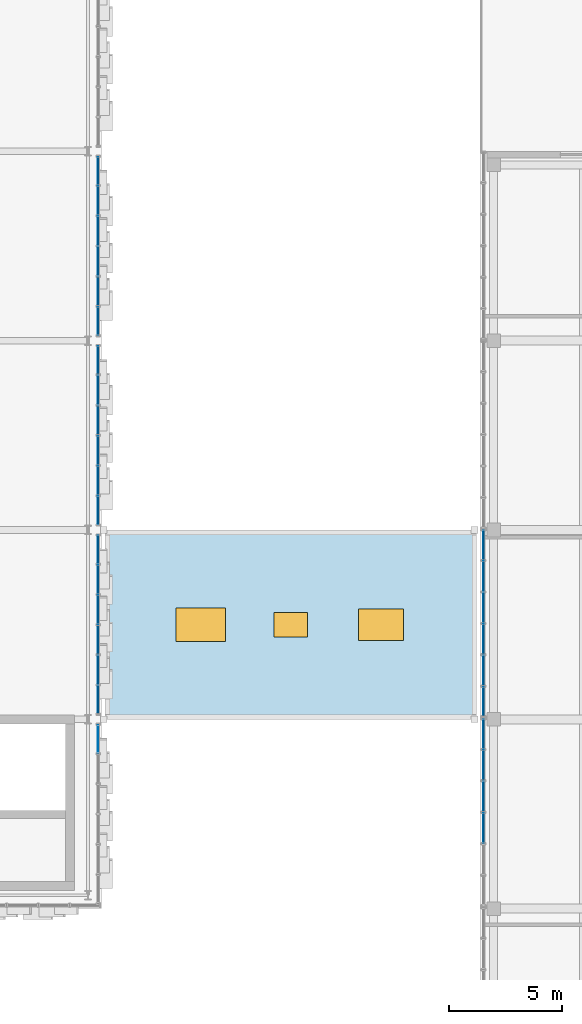
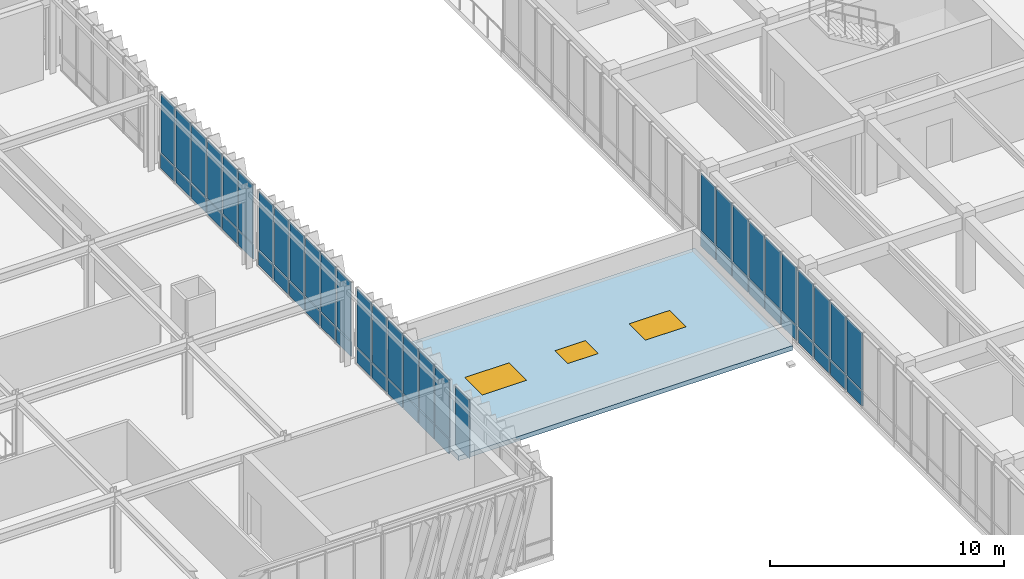
# One storey, part 92 of 123: 57 plates, 2 windows, 1 door, 1 slab, 3 openings, 6 elements without a shape of their own.
"""IFC4 building model written with IfcOpenShell, lengths in metres."""

from ifc_helpers import new_model, si_unit, direction, frame, origin, origin_2d, place, context, subcontext, project, spatial, polyline, rectangle, outline, extrude, material, layer, layer_set, type_object, element, fill, aggregate, save


model = new_model("IFC4")

# Units and contexts
model_context = context("Model", 3, precision=1e-05, world=origin(), true_north=direction((0.0, 1.0)))
body_context = subcontext(model_context, "Body", "Model", "MODEL_VIEW")
ifc_project = project(units=[si_unit("LENGTHUNIT", "METRE"), si_unit("AREAUNIT", "SQUARE_METRE"), si_unit("VOLUMEUNIT", "CUBIC_METRE"), si_unit("PLANEANGLEUNIT", "RADIAN"), si_unit("MASSUNIT", "GRAM", prefix="KILO")], contexts=[model_context])

# Site, building, storey
site_placement = place(None, origin())
site = spatial("IfcSite", under=ifc_project, at=site_placement, CompositionType="ELEMENT")
building_placement = place(site_placement, origin())
building = spatial("IfcBuilding", under=site, at=building_placement, Name="Zayran Congress Hotel", CompositionType="ELEMENT")
storey_placement = place(building_placement, frame((0.0, 0.0, 15.0)))
storey = spatial("IfcBuildingStorey", under=building, at=storey_placement, Name="L03", CompositionType="ELEMENT", Elevation=15.0)

# Slab, openings, windows, door
ifc_material_1 = material(Name="Concrete C32/40", Category="concrete")
ifc_layer_1 = layer(ifc_material_1, 0.239990234375)
ifc_layer_set_1 = layer_set([ifc_layer_1], Name="Concrete C32/40")
slab_type = type_object("IfcSlabType", Name="SL-RF-240", PredefinedType="ROOF", material=ifc_layer_set_1)
slab_placement = place(storey_placement, frame((0.0, 0.0, -0.239990234375)))
slab = element("IfcSlab", 1, at=slab_placement, inside=storey, type_object=slab_type, Name="North Congress Skybridge Deck Slab L03", PredefinedType="ROOF", context=body_context, shape_type="SweptSolid", body=[
    extrude(outline(polyline([(92.550048828125, 76.0), (109.050048828125, 76.0), (109.050048828125, 84.39990234375), (92.550048828125, 84.39990234375), (92.550048828125, 76.0)])), origin(), (0.0, 0.0, 1.0), 0.239990234375),
])
opening_1_placement = place(slab_placement, frame((100.800048828125, 80.199951171875, -0.010009765625), z_axis=(0.0, 0.0, 1.0), x_axis=(1.0, 0.0, 0.0)))
opening_1 = element("IfcOpeningElement", 2, at=opening_1_placement, cuts=slab, Name="Opening DR-HTCH-03", PredefinedType="OPENING", context=body_context, shape_type="SweptSolid", body=[
    extrude(rectangle(XDim=1.5, YDim=1.10009765625, at=origin_2d()), origin(), (0.0, 0.0, 1.0), 0.260009765625),
])
opening_2_placement = place(slab_placement, frame((96.800048828125, 80.199951171875, -0.010009765625), z_axis=(0.0, 0.0, 1.0), x_axis=(1.0, 0.0, 0.0)))
opening_2 = element("IfcOpeningElement", 3, at=opening_2_placement, cuts=slab, Name="Opening WIN-SKY-06", PredefinedType="OPENING", context=body_context, shape_type="SweptSolid", body=[
    extrude(rectangle(XDim=2.199951171875, YDim=1.5, at=origin_2d()), origin(), (0.0, 0.0, 1.0), 0.260009765625),
])
opening_3_placement = place(slab_placement, frame((104.800048828125, 80.199951171875, -0.010009765625), z_axis=(0.0, 0.0, 1.0), x_axis=(1.0, 0.0, 0.0)))
opening_3 = element("IfcOpeningElement", 4, at=opening_3_placement, cuts=slab, Name="Opening WIN-SKY-07", PredefinedType="OPENING", context=body_context, shape_type="SweptSolid", body=[
    extrude(rectangle(XDim=2.0, YDim=1.39990234375, at=origin_2d()), origin(), (0.0, 0.0, 1.0), 0.260009765625),
])
ifc_material_2 = material(Name="Anodised aluminium and low-E insulated glass", Category="aluminium")
window_type_1 = type_object("IfcWindowType", Name="TP-SK-04", PartitioningType="SINGLE_PANEL", PredefinedType="SKYLIGHT", material=ifc_material_2)
window_1_placement = place(opening_3_placement, frame((0.0, 0.0, 0.199951171875)))
window_1 = element("IfcWindow", 5, at=window_1_placement, inside=storey, type_object=window_type_1, Name="Roof Skylight 07", OverallHeight=1.39990234375, OverallWidth=2.0, PartitioningType="SINGLE_PANEL", PredefinedType="SKYLIGHT", context=body_context, shape_type="SweptSolid", body=[
    extrude(rectangle(XDim=2.0, YDim=1.39990234375, at=origin_2d()), origin(), (0.0, 0.0, 1.0), 0.050048828125),
])
fill(opening_3, window_1)
window_type_2 = type_object("IfcWindowType", Name="TP-SK-06", PartitioningType="SINGLE_PANEL", PredefinedType="SKYLIGHT", material=ifc_material_2)
window_2_placement = place(opening_2_placement, frame((0.0, 0.0, 0.199951171875)))
window_2 = element("IfcWindow", 6, at=window_2_placement, inside=storey, type_object=window_type_2, Name="Roof Skylight 06", OverallHeight=1.5, OverallWidth=2.199951171875, PartitioningType="SINGLE_PANEL", PredefinedType="SKYLIGHT", context=body_context, shape_type="SweptSolid", body=[
    extrude(rectangle(XDim=2.199951171875, YDim=1.5, at=origin_2d()), origin(), (0.0, 0.0, 1.0), 0.050048828125),
])
fill(opening_2, window_2)
ifc_material_3 = material(Name="Insulated aluminium roof access hatch", Category="aluminium")
door_type = type_object("IfcDoorType", Name="TP-RH-01", OperationType="SINGLE_SWING_LEFT", PredefinedType="TRAPDOOR", material=ifc_material_3)
door_placement = place(opening_1_placement, frame((0.0, 0.0, 0.199951171875)))
door = element("IfcDoor", 7, at=door_placement, inside=storey, type_object=door_type, Name="Roof Access Hatch 03", OperationType="SINGLE_SWING_LEFT", OverallHeight=1.10009765625, OverallWidth=1.5, PredefinedType="TRAPDOOR", context=body_context, shape_type="SweptSolid", body=[
    extrude(rectangle(XDim=1.5, YDim=1.10009765625, at=origin_2d()), origin(), (0.0, 0.0, 1.0), 0.050048828125),
])
fill(opening_1, door)

# Curtain wall, plates
ifc_layer_2 = layer(ifc_material_2, 0.179931640625)
ifc_layer_set_2 = layer_set([ifc_layer_2], Name="Anodised aluminium and low-E insulated glass")
curtain_wall_type_1 = type_object("IfcCurtainWallType", Name="CW-V1E-L03-CW-42-8040-3980", PredefinedType="USERDEFINED", material=ifc_layer_set_2)
curtain_wall_1_placement = place(storey_placement, origin())
curtain_wall_1 = element("IfcCurtainWall", 8, at=curtain_wall_1_placement, inside=storey, type_object=curtain_wall_type_1, Name="CW-V1E-L03-1", ObjectType="CURTAIN WALL", PredefinedType="USERDEFINED")
ifc_material_4 = material(Name="Insulated warm bronze aluminium spandrel panel", Category="aluminium")
ifc_layer_3 = layer(ifc_material_4, 0.06005859375)
ifc_layer_set_3 = layer_set([ifc_layer_3], Name="Insulated warm bronze aluminium spandrel panel")
plate_type_1 = type_object("IfcPlateType", Name="CWP-SP-1220-750", PredefinedType="CURTAIN_PANEL", material=ifc_layer_set_3)
plate_1_placement = place(storey_placement, frame((92.25, 76.8701171875, 0.06005859375), z_axis=(0.0, 0.0, 1.0), x_axis=(0.0, 1.0, 0.0)))
plate_1 = element("IfcPlate", 9, at=plate_1_placement, type_object=plate_type_1, Name="CW-42 Spandrel Panel 1", PredefinedType="CURTAIN_PANEL", context=body_context, shape_type="SweptSolid", body=[
    extrude(rectangle(XDim=1.219970703125, YDim=0.06005859375, at=origin_2d()), origin(), (0.0, 0.0, 1.0), 0.75),
])
plate_2_placement = place(storey_placement, frame((92.25, 78.18994140625, 0.06005859375), z_axis=(0.0, 0.0, 1.0), x_axis=(0.0, 1.0, 0.0)))
plate_2 = element("IfcPlate", 10, at=plate_2_placement, type_object=plate_type_1, Name="CW-42 Spandrel Panel 2", PredefinedType="CURTAIN_PANEL", context=body_context, shape_type="SweptSolid", body=[
    extrude(rectangle(XDim=1.260009765625, YDim=0.06005859375, at=origin_2d()), origin(), (0.0, 0.0, 1.0), 0.75),
])
plate_3_placement = place(storey_placement, frame((92.25, 79.530029296875, 0.06005859375), z_axis=(0.0, 0.0, 1.0), x_axis=(0.0, 1.0, 0.0)))
plate_3 = element("IfcPlate", 11, at=plate_3_placement, type_object=plate_type_1, Name="CW-42 Spandrel Panel 3", PredefinedType="CURTAIN_PANEL", context=body_context, shape_type="SweptSolid", body=[
    extrude(rectangle(XDim=1.260009765625, YDim=0.06005859375, at=origin_2d()), origin(), (0.0, 0.0, 1.0), 0.75),
])
plate_4_placement = place(storey_placement, frame((92.25, 80.8701171875, 0.06005859375), z_axis=(0.0, 0.0, 1.0), x_axis=(0.0, 1.0, 0.0)))
plate_4 = element("IfcPlate", 12, at=plate_4_placement, type_object=plate_type_1, Name="CW-42 Spandrel Panel 4", PredefinedType="CURTAIN_PANEL", context=body_context, shape_type="SweptSolid", body=[
    extrude(rectangle(XDim=1.260009765625, YDim=0.06005859375, at=origin_2d()), origin(), (0.0, 0.0, 1.0), 0.75),
])
plate_5_placement = place(storey_placement, frame((92.25, 82.2099609375, 0.06005859375), z_axis=(0.0, 0.0, 1.0), x_axis=(0.0, 1.0, 0.0)))
plate_5 = element("IfcPlate", 13, at=plate_5_placement, type_object=plate_type_1, Name="CW-42 Spandrel Panel 5", PredefinedType="CURTAIN_PANEL", context=body_context, shape_type="SweptSolid", body=[
    extrude(rectangle(XDim=1.260009765625, YDim=0.06005859375, at=origin_2d()), origin(), (0.0, 0.0, 1.0), 0.75),
])
plate_6_placement = place(storey_placement, frame((92.25, 83.530029296875, 0.06005859375), z_axis=(0.0, 0.0, 1.0), x_axis=(0.0, 1.0, 0.0)))
plate_6 = element("IfcPlate", 14, at=plate_6_placement, type_object=plate_type_1, Name="CW-42 Spandrel Panel 6", PredefinedType="CURTAIN_PANEL", context=body_context, shape_type="SweptSolid", body=[
    extrude(rectangle(XDim=1.219970703125, YDim=0.06005859375, at=origin_2d()), origin(), (0.0, 0.0, 1.0), 0.75),
])

ifc_layer_4 = layer(ifc_material_2, 0.179931640625)
ifc_layer_set_4 = layer_set([ifc_layer_4], Name="Anodised aluminium and low-E insulated glass")
curtain_wall_type_2 = type_object("IfcCurtainWallType", Name="CW-V1E-L03-CW-41-8040-3980", PredefinedType="USERDEFINED", material=ifc_layer_set_4)
curtain_wall_2_placement = place(storey_placement, origin())
curtain_wall_2 = element("IfcCurtainWall", 15, at=curtain_wall_2_placement, inside=storey, type_object=curtain_wall_type_2, Name="CW-V1E-L03-2", ObjectType="CURTAIN WALL", PredefinedType="USERDEFINED")
plate_7_placement = place(storey_placement, frame((92.25, 85.27001953125, 0.06005859375), z_axis=(0.0, 0.0, 1.0), x_axis=(0.0, 1.0, 0.0)))
plate_7 = element("IfcPlate", 16, at=plate_7_placement, type_object=plate_type_1, Name="CW-41 Spandrel Panel 1", PredefinedType="CURTAIN_PANEL", context=body_context, shape_type="SweptSolid", body=[
    extrude(rectangle(XDim=1.219970703125, YDim=0.06005859375, at=origin_2d()), origin(), (0.0, 0.0, 1.0), 0.75),
])
plate_8_placement = place(storey_placement, frame((92.25, 86.590087890625, 0.06005859375), z_axis=(0.0, 0.0, 1.0), x_axis=(0.0, 1.0, 0.0)))
plate_8 = element("IfcPlate", 17, at=plate_8_placement, type_object=plate_type_1, Name="CW-41 Spandrel Panel 2", PredefinedType="CURTAIN_PANEL", context=body_context, shape_type="SweptSolid", body=[
    extrude(rectangle(XDim=1.260009765625, YDim=0.06005859375, at=origin_2d()), origin(), (0.0, 0.0, 1.0), 0.75),
])
plate_9_placement = place(storey_placement, frame((92.25, 87.929931640625, 0.06005859375), z_axis=(0.0, 0.0, 1.0), x_axis=(0.0, 1.0, 0.0)))
plate_9 = element("IfcPlate", 18, at=plate_9_placement, type_object=plate_type_1, Name="CW-41 Spandrel Panel 3", PredefinedType="CURTAIN_PANEL", context=body_context, shape_type="SweptSolid", body=[
    extrude(rectangle(XDim=1.260009765625, YDim=0.06005859375, at=origin_2d()), origin(), (0.0, 0.0, 1.0), 0.75),
])
plate_10_placement = place(storey_placement, frame((92.25, 89.27001953125, 0.06005859375), z_axis=(0.0, 0.0, 1.0), x_axis=(0.0, 1.0, 0.0)))
plate_10 = element("IfcPlate", 19, at=plate_10_placement, type_object=plate_type_1, Name="CW-41 Spandrel Panel 4", PredefinedType="CURTAIN_PANEL", context=body_context, shape_type="SweptSolid", body=[
    extrude(rectangle(XDim=1.260009765625, YDim=0.06005859375, at=origin_2d()), origin(), (0.0, 0.0, 1.0), 0.75),
])
plate_11_placement = place(storey_placement, frame((92.25, 90.610107421875, 0.06005859375), z_axis=(0.0, 0.0, 1.0), x_axis=(0.0, 1.0, 0.0)))
plate_11 = element("IfcPlate", 20, at=plate_11_placement, type_object=plate_type_1, Name="CW-41 Spandrel Panel 5", PredefinedType="CURTAIN_PANEL", context=body_context, shape_type="SweptSolid", body=[
    extrude(rectangle(XDim=1.260009765625, YDim=0.06005859375, at=origin_2d()), origin(), (0.0, 0.0, 1.0), 0.75),
])
plate_12_placement = place(storey_placement, frame((92.25, 91.929931640625, 0.06005859375), z_axis=(0.0, 0.0, 1.0), x_axis=(0.0, 1.0, 0.0)))
plate_12 = element("IfcPlate", 21, at=plate_12_placement, type_object=plate_type_1, Name="CW-41 Spandrel Panel 6", PredefinedType="CURTAIN_PANEL", context=body_context, shape_type="SweptSolid", body=[
    extrude(rectangle(XDim=1.219970703125, YDim=0.06005859375, at=origin_2d()), origin(), (0.0, 0.0, 1.0), 0.75),
])

curtain_wall_3_placement = place(storey_placement, origin())
curtain_wall_3 = element("IfcCurtainWall", 22, at=curtain_wall_3_placement, inside=storey, type_object=curtain_wall_type_1, Name="CW-V1E-L03-3", ObjectType="CURTAIN WALL", PredefinedType="USERDEFINED")
plate_13_placement = place(storey_placement, frame((92.25, 93.669921875, 0.06005859375), z_axis=(0.0, 0.0, 1.0), x_axis=(0.0, 1.0, 0.0)))
plate_13 = element("IfcPlate", 23, at=plate_13_placement, type_object=plate_type_1, Name="CW-42 Spandrel Panel 1", PredefinedType="CURTAIN_PANEL", context=body_context, shape_type="SweptSolid", body=[
    extrude(rectangle(XDim=1.219970703125, YDim=0.06005859375, at=origin_2d()), origin(), (0.0, 0.0, 1.0), 0.75),
])
plate_14_placement = place(storey_placement, frame((92.25, 94.989990234375, 0.06005859375), z_axis=(0.0, 0.0, 1.0), x_axis=(0.0, 1.0, 0.0)))
plate_14 = element("IfcPlate", 24, at=plate_14_placement, type_object=plate_type_1, Name="CW-42 Spandrel Panel 2", PredefinedType="CURTAIN_PANEL", context=body_context, shape_type="SweptSolid", body=[
    extrude(rectangle(XDim=1.260009765625, YDim=0.06005859375, at=origin_2d()), origin(), (0.0, 0.0, 1.0), 0.75),
])
plate_15_placement = place(storey_placement, frame((92.25, 96.330078125, 0.06005859375), z_axis=(0.0, 0.0, 1.0), x_axis=(0.0, 1.0, 0.0)))
plate_15 = element("IfcPlate", 25, at=plate_15_placement, type_object=plate_type_1, Name="CW-42 Spandrel Panel 3", PredefinedType="CURTAIN_PANEL", context=body_context, shape_type="SweptSolid", body=[
    extrude(rectangle(XDim=1.260009765625, YDim=0.06005859375, at=origin_2d()), origin(), (0.0, 0.0, 1.0), 0.75),
])
plate_16_placement = place(storey_placement, frame((92.25, 97.669921875, 0.06005859375), z_axis=(0.0, 0.0, 1.0), x_axis=(0.0, 1.0, 0.0)))
plate_16 = element("IfcPlate", 26, at=plate_16_placement, type_object=plate_type_1, Name="CW-42 Spandrel Panel 4", PredefinedType="CURTAIN_PANEL", context=body_context, shape_type="SweptSolid", body=[
    extrude(rectangle(XDim=1.260009765625, YDim=0.06005859375, at=origin_2d()), origin(), (0.0, 0.0, 1.0), 0.75),
])
plate_17_placement = place(storey_placement, frame((92.25, 99.010009765625, 0.06005859375), z_axis=(0.0, 0.0, 1.0), x_axis=(0.0, 1.0, 0.0)))
plate_17 = element("IfcPlate", 27, at=plate_17_placement, type_object=plate_type_1, Name="CW-42 Spandrel Panel 5", PredefinedType="CURTAIN_PANEL", context=body_context, shape_type="SweptSolid", body=[
    extrude(rectangle(XDim=1.260009765625, YDim=0.06005859375, at=origin_2d()), origin(), (0.0, 0.0, 1.0), 0.75),
])
plate_18_placement = place(storey_placement, frame((92.25, 100.330078125, 0.06005859375), z_axis=(0.0, 0.0, 1.0), x_axis=(0.0, 1.0, 0.0)))
plate_18 = element("IfcPlate", 28, at=plate_18_placement, type_object=plate_type_1, Name="CW-42 Spandrel Panel 6", PredefinedType="CURTAIN_PANEL", context=body_context, shape_type="SweptSolid", body=[
    extrude(rectangle(XDim=1.219970703125, YDim=0.06005859375, at=origin_2d()), origin(), (0.0, 0.0, 1.0), 0.75),
])

# Curtain wall, plate
curtain_wall_4_placement = place(storey_placement, origin())
curtain_wall_4 = element("IfcCurtainWall", 29, at=curtain_wall_4_placement, inside=storey, type_object=curtain_wall_type_2, Name="CW-V1E-L03-0", ObjectType="CURTAIN WALL", PredefinedType="USERDEFINED")
ifc_layer_5 = layer(ifc_material_2, 0.028076171875)
ifc_layer_set_5 = layer_set([ifc_layer_5], Name="Anodised aluminium and low-E insulated glass")
plate_type_2 = type_object("IfcPlateType", Name="CWP-GL-1220-3050", PredefinedType="CURTAIN_PANEL", material=ifc_layer_set_5)
plate_19_placement = place(storey_placement, frame((92.25, 75.1298828125, 0.8701171875), z_axis=(0.0, 0.0, 1.0), x_axis=(0.0, 1.0, 0.0)))
plate_19 = element("IfcPlate", 30, at=plate_19_placement, type_object=plate_type_2, Name="CW-41 Glazed Panel 6", PredefinedType="CURTAIN_PANEL", context=body_context, shape_type="SweptSolid", body=[
    extrude(rectangle(XDim=1.219970703125, YDim=0.028076171875, at=origin_2d()), origin(), (0.0, 0.0, 1.0), 3.050048828125),
])
aggregate(curtain_wall_4, [plate_19])

# Plate
plate_20_placement = place(storey_placement, frame((92.25, 76.8701171875, 0.8701171875), z_axis=(0.0, 0.0, 1.0), x_axis=(0.0, 1.0, 0.0)))
plate_20 = element("IfcPlate", 31, at=plate_20_placement, type_object=plate_type_2, Name="CW-42 Glazed Panel 1", PredefinedType="CURTAIN_PANEL", context=body_context, shape_type="SweptSolid", body=[
    extrude(rectangle(XDim=1.219970703125, YDim=0.028076171875, at=origin_2d()), origin(), (0.0, 0.0, 1.0), 3.050048828125),
])

plate_21_placement = place(storey_placement, frame((92.25, 78.18994140625, 0.8701171875), z_axis=(0.0, 0.0, 1.0), x_axis=(0.0, 1.0, 0.0)))
plate_21 = element("IfcPlate", 32, at=plate_21_placement, type_object=plate_type_2, Name="CW-42 Glazed Panel 2", PredefinedType="CURTAIN_PANEL", context=body_context, shape_type="SweptSolid", body=[
    extrude(rectangle(XDim=1.260009765625, YDim=0.028076171875, at=origin_2d()), origin(), (0.0, 0.0, 1.0), 3.050048828125),
])

plate_22_placement = place(storey_placement, frame((92.25, 79.530029296875, 0.8701171875), z_axis=(0.0, 0.0, 1.0), x_axis=(0.0, 1.0, 0.0)))
plate_22 = element("IfcPlate", 33, at=plate_22_placement, type_object=plate_type_2, Name="CW-42 Glazed Panel 3", PredefinedType="CURTAIN_PANEL", context=body_context, shape_type="SweptSolid", body=[
    extrude(rectangle(XDim=1.260009765625, YDim=0.028076171875, at=origin_2d()), origin(), (0.0, 0.0, 1.0), 3.050048828125),
])

plate_23_placement = place(storey_placement, frame((92.25, 80.8701171875, 0.8701171875), z_axis=(0.0, 0.0, 1.0), x_axis=(0.0, 1.0, 0.0)))
plate_23 = element("IfcPlate", 34, at=plate_23_placement, type_object=plate_type_2, Name="CW-42 Glazed Panel 4", PredefinedType="CURTAIN_PANEL", context=body_context, shape_type="SweptSolid", body=[
    extrude(rectangle(XDim=1.260009765625, YDim=0.028076171875, at=origin_2d()), origin(), (0.0, 0.0, 1.0), 3.050048828125),
])

plate_24_placement = place(storey_placement, frame((92.25, 82.2099609375, 0.8701171875), z_axis=(0.0, 0.0, 1.0), x_axis=(0.0, 1.0, 0.0)))
plate_24 = element("IfcPlate", 35, at=plate_24_placement, type_object=plate_type_2, Name="CW-42 Glazed Panel 5", PredefinedType="CURTAIN_PANEL", context=body_context, shape_type="SweptSolid", body=[
    extrude(rectangle(XDim=1.260009765625, YDim=0.028076171875, at=origin_2d()), origin(), (0.0, 0.0, 1.0), 3.050048828125),
])

plate_25_placement = place(storey_placement, frame((92.25, 83.530029296875, 0.8701171875), z_axis=(0.0, 0.0, 1.0), x_axis=(0.0, 1.0, 0.0)))
plate_25 = element("IfcPlate", 36, at=plate_25_placement, type_object=plate_type_2, Name="CW-42 Glazed Panel 6", PredefinedType="CURTAIN_PANEL", context=body_context, shape_type="SweptSolid", body=[
    extrude(rectangle(XDim=1.219970703125, YDim=0.028076171875, at=origin_2d()), origin(), (0.0, 0.0, 1.0), 3.050048828125),
])

aggregate(curtain_wall_1, [plate_1, plate_20, plate_2, plate_21, plate_3, plate_22, plate_4, plate_23, plate_5, plate_24, plate_6, plate_25])

plate_26_placement = place(storey_placement, frame((92.25, 85.27001953125, 0.8701171875), z_axis=(0.0, 0.0, 1.0), x_axis=(0.0, 1.0, 0.0)))
plate_26 = element("IfcPlate", 37, at=plate_26_placement, type_object=plate_type_2, Name="CW-41 Glazed Panel 1", PredefinedType="CURTAIN_PANEL", context=body_context, shape_type="SweptSolid", body=[
    extrude(rectangle(XDim=1.219970703125, YDim=0.028076171875, at=origin_2d()), origin(), (0.0, 0.0, 1.0), 3.050048828125),
])

plate_27_placement = place(storey_placement, frame((92.25, 86.590087890625, 0.8701171875), z_axis=(0.0, 0.0, 1.0), x_axis=(0.0, 1.0, 0.0)))
plate_27 = element("IfcPlate", 38, at=plate_27_placement, type_object=plate_type_2, Name="CW-41 Glazed Panel 2", PredefinedType="CURTAIN_PANEL", context=body_context, shape_type="SweptSolid", body=[
    extrude(rectangle(XDim=1.260009765625, YDim=0.028076171875, at=origin_2d()), origin(), (0.0, 0.0, 1.0), 3.050048828125),
])

plate_28_placement = place(storey_placement, frame((92.25, 87.929931640625, 0.8701171875), z_axis=(0.0, 0.0, 1.0), x_axis=(0.0, 1.0, 0.0)))
plate_28 = element("IfcPlate", 39, at=plate_28_placement, type_object=plate_type_2, Name="CW-41 Glazed Panel 3", PredefinedType="CURTAIN_PANEL", context=body_context, shape_type="SweptSolid", body=[
    extrude(rectangle(XDim=1.260009765625, YDim=0.028076171875, at=origin_2d()), origin(), (0.0, 0.0, 1.0), 3.050048828125),
])

plate_29_placement = place(storey_placement, frame((92.25, 89.27001953125, 0.8701171875), z_axis=(0.0, 0.0, 1.0), x_axis=(0.0, 1.0, 0.0)))
plate_29 = element("IfcPlate", 40, at=plate_29_placement, type_object=plate_type_2, Name="CW-41 Glazed Panel 4", PredefinedType="CURTAIN_PANEL", context=body_context, shape_type="SweptSolid", body=[
    extrude(rectangle(XDim=1.260009765625, YDim=0.028076171875, at=origin_2d()), origin(), (0.0, 0.0, 1.0), 3.050048828125),
])

plate_30_placement = place(storey_placement, frame((92.25, 90.610107421875, 0.8701171875), z_axis=(0.0, 0.0, 1.0), x_axis=(0.0, 1.0, 0.0)))
plate_30 = element("IfcPlate", 41, at=plate_30_placement, type_object=plate_type_2, Name="CW-41 Glazed Panel 5", PredefinedType="CURTAIN_PANEL", context=body_context, shape_type="SweptSolid", body=[
    extrude(rectangle(XDim=1.260009765625, YDim=0.028076171875, at=origin_2d()), origin(), (0.0, 0.0, 1.0), 3.050048828125),
])

plate_31_placement = place(storey_placement, frame((92.25, 91.929931640625, 0.8701171875), z_axis=(0.0, 0.0, 1.0), x_axis=(0.0, 1.0, 0.0)))
plate_31 = element("IfcPlate", 42, at=plate_31_placement, type_object=plate_type_2, Name="CW-41 Glazed Panel 6", PredefinedType="CURTAIN_PANEL", context=body_context, shape_type="SweptSolid", body=[
    extrude(rectangle(XDim=1.219970703125, YDim=0.028076171875, at=origin_2d()), origin(), (0.0, 0.0, 1.0), 3.050048828125),
])

aggregate(curtain_wall_2, [plate_7, plate_26, plate_8, plate_27, plate_9, plate_28, plate_10, plate_29, plate_11, plate_30, plate_12, plate_31])

plate_32_placement = place(storey_placement, frame((92.25, 93.669921875, 0.8701171875), z_axis=(0.0, 0.0, 1.0), x_axis=(0.0, 1.0, 0.0)))
plate_32 = element("IfcPlate", 43, at=plate_32_placement, type_object=plate_type_2, Name="CW-42 Glazed Panel 1", PredefinedType="CURTAIN_PANEL", context=body_context, shape_type="SweptSolid", body=[
    extrude(rectangle(XDim=1.219970703125, YDim=0.028076171875, at=origin_2d()), origin(), (0.0, 0.0, 1.0), 3.050048828125),
])

plate_33_placement = place(storey_placement, frame((92.25, 94.989990234375, 0.8701171875), z_axis=(0.0, 0.0, 1.0), x_axis=(0.0, 1.0, 0.0)))
plate_33 = element("IfcPlate", 44, at=plate_33_placement, type_object=plate_type_2, Name="CW-42 Glazed Panel 2", PredefinedType="CURTAIN_PANEL", context=body_context, shape_type="SweptSolid", body=[
    extrude(rectangle(XDim=1.260009765625, YDim=0.028076171875, at=origin_2d()), origin(), (0.0, 0.0, 1.0), 3.050048828125),
])

plate_34_placement = place(storey_placement, frame((92.25, 96.330078125, 0.8701171875), z_axis=(0.0, 0.0, 1.0), x_axis=(0.0, 1.0, 0.0)))
plate_34 = element("IfcPlate", 45, at=plate_34_placement, type_object=plate_type_2, Name="CW-42 Glazed Panel 3", PredefinedType="CURTAIN_PANEL", context=body_context, shape_type="SweptSolid", body=[
    extrude(rectangle(XDim=1.260009765625, YDim=0.028076171875, at=origin_2d()), origin(), (0.0, 0.0, 1.0), 3.050048828125),
])

plate_35_placement = place(storey_placement, frame((92.25, 97.669921875, 0.8701171875), z_axis=(0.0, 0.0, 1.0), x_axis=(0.0, 1.0, 0.0)))
plate_35 = element("IfcPlate", 46, at=plate_35_placement, type_object=plate_type_2, Name="CW-42 Glazed Panel 4", PredefinedType="CURTAIN_PANEL", context=body_context, shape_type="SweptSolid", body=[
    extrude(rectangle(XDim=1.260009765625, YDim=0.028076171875, at=origin_2d()), origin(), (0.0, 0.0, 1.0), 3.050048828125),
])

plate_36_placement = place(storey_placement, frame((92.25, 99.010009765625, 0.8701171875), z_axis=(0.0, 0.0, 1.0), x_axis=(0.0, 1.0, 0.0)))
plate_36 = element("IfcPlate", 47, at=plate_36_placement, type_object=plate_type_2, Name="CW-42 Glazed Panel 5", PredefinedType="CURTAIN_PANEL", context=body_context, shape_type="SweptSolid", body=[
    extrude(rectangle(XDim=1.260009765625, YDim=0.028076171875, at=origin_2d()), origin(), (0.0, 0.0, 1.0), 3.050048828125),
])

plate_37_placement = place(storey_placement, frame((92.25, 100.330078125, 0.8701171875), z_axis=(0.0, 0.0, 1.0), x_axis=(0.0, 1.0, 0.0)))
plate_37 = element("IfcPlate", 48, at=plate_37_placement, type_object=plate_type_2, Name="CW-42 Glazed Panel 6", PredefinedType="CURTAIN_PANEL", context=body_context, shape_type="SweptSolid", body=[
    extrude(rectangle(XDim=1.219970703125, YDim=0.028076171875, at=origin_2d()), origin(), (0.0, 0.0, 1.0), 3.050048828125),
])

aggregate(curtain_wall_3, [plate_13, plate_32, plate_14, plate_33, plate_15, plate_34, plate_16, plate_35, plate_17, plate_36, plate_18, plate_37])

# Curtain wall, plates
ifc_layer_6 = layer(ifc_material_2, 0.179931640625)
ifc_layer_set_6 = layer_set([ifc_layer_6], Name="Anodised aluminium and low-E insulated glass")
curtain_wall_type_3 = type_object("IfcCurtainWallType", Name="CW-V4W-L03-CW-51-8368-3920", PredefinedType="USERDEFINED", material=ifc_layer_set_6)
curtain_wall_5_placement = place(storey_placement, origin())
curtain_wall_5 = element("IfcCurtainWall", 49, at=curtain_wall_5_placement, inside=storey, type_object=curtain_wall_type_3, Name="CW-V4W-L03-3", ObjectType="CURTAIN WALL", PredefinedType="USERDEFINED")
ifc_layer_7 = layer(ifc_material_4, 0.06005859375)
ifc_layer_set_7 = layer_set([ifc_layer_7], Name="Insulated warm bronze aluminium spandrel panel")
plate_type_3 = type_object("IfcPlateType", Name="CWP-SP-1275-750", PredefinedType="CURTAIN_PANEL", material=ifc_layer_set_7)
plate_38_placement = place(storey_placement, frame((109.35009765625, 75.341796875, 0.06005859375), z_axis=(0.0, 0.0, 1.0), x_axis=(0.0, 1.0, 0.0)))
plate_38 = element("IfcPlate", 50, at=plate_38_placement, type_object=plate_type_3, Name="CW-51 Spandrel Panel 1", PredefinedType="CURTAIN_PANEL", context=body_context, shape_type="SweptSolid", body=[
    extrude(rectangle(XDim=1.274658203125, YDim=0.06005859375, at=origin_2d()), origin(), (0.0, 0.0, 1.0), 0.75),
])
plate_39_placement = place(storey_placement, frame((109.35009765625, 73.967041015625, 0.06005859375), z_axis=(0.0, 0.0, 1.0), x_axis=(0.0, 1.0, 0.0)))
plate_39 = element("IfcPlate", 51, at=plate_39_placement, type_object=plate_type_3, Name="CW-51 Spandrel Panel 2", PredefinedType="CURTAIN_PANEL", context=body_context, shape_type="SweptSolid", body=[
    extrude(rectangle(XDim=1.314697265625, YDim=0.06005859375, at=origin_2d()), origin(), (0.0, 0.0, 1.0), 0.75),
])
plate_40_placement = place(storey_placement, frame((109.35009765625, 72.572265625, 0.06005859375), z_axis=(0.0, 0.0, 1.0), x_axis=(0.0, 1.0, 0.0)))
plate_40 = element("IfcPlate", 52, at=plate_40_placement, type_object=plate_type_3, Name="CW-51 Spandrel Panel 3", PredefinedType="CURTAIN_PANEL", context=body_context, shape_type="SweptSolid", body=[
    extrude(rectangle(XDim=1.314697265625, YDim=0.06005859375, at=origin_2d()), origin(), (0.0, 0.0, 1.0), 0.75),
])
plate_41_placement = place(storey_placement, frame((109.35009765625, 71.177734375, 0.06005859375), z_axis=(0.0, 0.0, 1.0), x_axis=(0.0, 1.0, 0.0)))
plate_41 = element("IfcPlate", 53, at=plate_41_placement, type_object=plate_type_3, Name="CW-51 Spandrel Panel 4", PredefinedType="CURTAIN_PANEL", context=body_context, shape_type="SweptSolid", body=[
    extrude(rectangle(XDim=1.314697265625, YDim=0.06005859375, at=origin_2d()), origin(), (0.0, 0.0, 1.0), 0.75),
])

ifc_layer_8 = layer(ifc_material_2, 0.179931640625)
ifc_layer_set_8 = layer_set([ifc_layer_8], Name="Anodised aluminium and low-E insulated glass")
curtain_wall_type_4 = type_object("IfcCurtainWallType", Name="CW-V4W-L03-CW-52-8369-3920", PredefinedType="USERDEFINED", material=ifc_layer_set_8)
curtain_wall_6_placement = place(storey_placement, origin())
curtain_wall_6 = element("IfcCurtainWall", 54, at=curtain_wall_6_placement, inside=storey, type_object=curtain_wall_type_4, Name="CW-V4W-L03-4", ObjectType="CURTAIN WALL", PredefinedType="USERDEFINED")
plate_42_placement = place(storey_placement, frame((109.35009765625, 83.720703125, 0.06005859375), z_axis=(0.0, 0.0, 1.0), x_axis=(0.0, 1.0, 0.0)))
plate_42 = element("IfcPlate", 55, at=plate_42_placement, type_object=plate_type_3, Name="CW-52 Spandrel Panel 1", PredefinedType="CURTAIN_PANEL", context=body_context, shape_type="SweptSolid", body=[
    extrude(rectangle(XDim=1.27490234375, YDim=0.06005859375, at=origin_2d()), origin(), (0.0, 0.0, 1.0), 0.75),
])
plate_43_placement = place(storey_placement, frame((109.35009765625, 82.345703125, 0.06005859375), z_axis=(0.0, 0.0, 1.0), x_axis=(0.0, 1.0, 0.0)))
plate_43 = element("IfcPlate", 56, at=plate_43_placement, type_object=plate_type_3, Name="CW-52 Spandrel Panel 2", PredefinedType="CURTAIN_PANEL", context=body_context, shape_type="SweptSolid", body=[
    extrude(rectangle(XDim=1.314697265625, YDim=0.06005859375, at=origin_2d()), origin(), (0.0, 0.0, 1.0), 0.75),
])
plate_44_placement = place(storey_placement, frame((109.35009765625, 80.950927734375, 0.06005859375), z_axis=(0.0, 0.0, 1.0), x_axis=(0.0, 1.0, 0.0)))
plate_44 = element("IfcPlate", 57, at=plate_44_placement, type_object=plate_type_3, Name="CW-52 Spandrel Panel 3", PredefinedType="CURTAIN_PANEL", context=body_context, shape_type="SweptSolid", body=[
    extrude(rectangle(XDim=1.314697265625, YDim=0.06005859375, at=origin_2d()), origin(), (0.0, 0.0, 1.0), 0.75),
])
plate_45_placement = place(storey_placement, frame((109.35009765625, 79.55615234375, 0.06005859375), z_axis=(0.0, 0.0, 1.0), x_axis=(0.0, 1.0, 0.0)))
plate_45 = element("IfcPlate", 58, at=plate_45_placement, type_object=plate_type_3, Name="CW-52 Spandrel Panel 4", PredefinedType="CURTAIN_PANEL", context=body_context, shape_type="SweptSolid", body=[
    extrude(rectangle(XDim=1.314697265625, YDim=0.06005859375, at=origin_2d()), origin(), (0.0, 0.0, 1.0), 0.75),
])
plate_46_placement = place(storey_placement, frame((109.35009765625, 78.1611328125, 0.06005859375), z_axis=(0.0, 0.0, 1.0), x_axis=(0.0, 1.0, 0.0)))
plate_46 = element("IfcPlate", 59, at=plate_46_placement, type_object=plate_type_3, Name="CW-52 Spandrel Panel 5", PredefinedType="CURTAIN_PANEL", context=body_context, shape_type="SweptSolid", body=[
    extrude(rectangle(XDim=1.314697265625, YDim=0.06005859375, at=origin_2d()), origin(), (0.0, 0.0, 1.0), 0.75),
])
plate_47_placement = place(storey_placement, frame((109.35009765625, 76.786376953125, 0.06005859375), z_axis=(0.0, 0.0, 1.0), x_axis=(0.0, 1.0, 0.0)))
plate_47 = element("IfcPlate", 60, at=plate_47_placement, type_object=plate_type_3, Name="CW-52 Spandrel Panel 6", PredefinedType="CURTAIN_PANEL", context=body_context, shape_type="SweptSolid", body=[
    extrude(rectangle(XDim=1.27490234375, YDim=0.06005859375, at=origin_2d()), origin(), (0.0, 0.0, 1.0), 0.75),
])

# Plate
ifc_layer_9 = layer(ifc_material_2, 0.028076171875)
ifc_layer_set_9 = layer_set([ifc_layer_9], Name="Anodised aluminium and low-E insulated glass")
plate_type_4 = type_object("IfcPlateType", Name="CWP-GL-1275-2990", PredefinedType="CURTAIN_PANEL", material=ifc_layer_set_9)
plate_48_placement = place(storey_placement, frame((109.35009765625, 75.341796875, 0.8701171875), z_axis=(0.0, 0.0, 1.0), x_axis=(0.0, 1.0, 0.0)))
plate_48 = element("IfcPlate", 61, at=plate_48_placement, type_object=plate_type_4, Name="CW-51 Glazed Panel 1", PredefinedType="CURTAIN_PANEL", context=body_context, shape_type="SweptSolid", body=[
    extrude(rectangle(XDim=1.274658203125, YDim=0.028076171875, at=origin_2d()), origin(), (0.0, 0.0, 1.0), 2.989990234375),
])

plate_49_placement = place(storey_placement, frame((109.35009765625, 73.967041015625, 0.8701171875), z_axis=(0.0, 0.0, 1.0), x_axis=(0.0, 1.0, 0.0)))
plate_49 = element("IfcPlate", 62, at=plate_49_placement, type_object=plate_type_4, Name="CW-51 Glazed Panel 2", PredefinedType="CURTAIN_PANEL", context=body_context, shape_type="SweptSolid", body=[
    extrude(rectangle(XDim=1.314697265625, YDim=0.028076171875, at=origin_2d()), origin(), (0.0, 0.0, 1.0), 2.989990234375),
])

plate_50_placement = place(storey_placement, frame((109.35009765625, 72.572265625, 0.8701171875), z_axis=(0.0, 0.0, 1.0), x_axis=(0.0, 1.0, 0.0)))
plate_50 = element("IfcPlate", 63, at=plate_50_placement, type_object=plate_type_4, Name="CW-51 Glazed Panel 3", PredefinedType="CURTAIN_PANEL", context=body_context, shape_type="SweptSolid", body=[
    extrude(rectangle(XDim=1.314697265625, YDim=0.028076171875, at=origin_2d()), origin(), (0.0, 0.0, 1.0), 2.989990234375),
])

plate_51_placement = place(storey_placement, frame((109.35009765625, 71.177734375, 0.8701171875), z_axis=(0.0, 0.0, 1.0), x_axis=(0.0, 1.0, 0.0)))
plate_51 = element("IfcPlate", 64, at=plate_51_placement, type_object=plate_type_4, Name="CW-51 Glazed Panel 4", PredefinedType="CURTAIN_PANEL", context=body_context, shape_type="SweptSolid", body=[
    extrude(rectangle(XDim=1.314697265625, YDim=0.028076171875, at=origin_2d()), origin(), (0.0, 0.0, 1.0), 2.989990234375),
])

aggregate(curtain_wall_5, [plate_38, plate_48, plate_39, plate_49, plate_40, plate_50, plate_41, plate_51])

plate_52_placement = place(storey_placement, frame((109.35009765625, 83.720703125, 0.8701171875), z_axis=(0.0, 0.0, 1.0), x_axis=(0.0, 1.0, 0.0)))
plate_52 = element("IfcPlate", 65, at=plate_52_placement, type_object=plate_type_4, Name="CW-52 Glazed Panel 1", PredefinedType="CURTAIN_PANEL", context=body_context, shape_type="SweptSolid", body=[
    extrude(rectangle(XDim=1.27490234375, YDim=0.028076171875, at=origin_2d()), origin(), (0.0, 0.0, 1.0), 2.989990234375),
])

plate_53_placement = place(storey_placement, frame((109.35009765625, 82.345703125, 0.8701171875), z_axis=(0.0, 0.0, 1.0), x_axis=(0.0, 1.0, 0.0)))
plate_53 = element("IfcPlate", 66, at=plate_53_placement, type_object=plate_type_4, Name="CW-52 Glazed Panel 2", PredefinedType="CURTAIN_PANEL", context=body_context, shape_type="SweptSolid", body=[
    extrude(rectangle(XDim=1.314697265625, YDim=0.028076171875, at=origin_2d()), origin(), (0.0, 0.0, 1.0), 2.989990234375),
])

plate_54_placement = place(storey_placement, frame((109.35009765625, 80.950927734375, 0.8701171875), z_axis=(0.0, 0.0, 1.0), x_axis=(0.0, 1.0, 0.0)))
plate_54 = element("IfcPlate", 67, at=plate_54_placement, type_object=plate_type_4, Name="CW-52 Glazed Panel 3", PredefinedType="CURTAIN_PANEL", context=body_context, shape_type="SweptSolid", body=[
    extrude(rectangle(XDim=1.314697265625, YDim=0.028076171875, at=origin_2d()), origin(), (0.0, 0.0, 1.0), 2.989990234375),
])

plate_55_placement = place(storey_placement, frame((109.35009765625, 79.55615234375, 0.8701171875), z_axis=(0.0, 0.0, 1.0), x_axis=(0.0, 1.0, 0.0)))
plate_55 = element("IfcPlate", 68, at=plate_55_placement, type_object=plate_type_4, Name="CW-52 Glazed Panel 4", PredefinedType="CURTAIN_PANEL", context=body_context, shape_type="SweptSolid", body=[
    extrude(rectangle(XDim=1.314697265625, YDim=0.028076171875, at=origin_2d()), origin(), (0.0, 0.0, 1.0), 2.989990234375),
])

plate_56_placement = place(storey_placement, frame((109.35009765625, 78.1611328125, 0.8701171875), z_axis=(0.0, 0.0, 1.0), x_axis=(0.0, 1.0, 0.0)))
plate_56 = element("IfcPlate", 69, at=plate_56_placement, type_object=plate_type_4, Name="CW-52 Glazed Panel 5", PredefinedType="CURTAIN_PANEL", context=body_context, shape_type="SweptSolid", body=[
    extrude(rectangle(XDim=1.314697265625, YDim=0.028076171875, at=origin_2d()), origin(), (0.0, 0.0, 1.0), 2.989990234375),
])

plate_57_placement = place(storey_placement, frame((109.35009765625, 76.786376953125, 0.8701171875), z_axis=(0.0, 0.0, 1.0), x_axis=(0.0, 1.0, 0.0)))
plate_57 = element("IfcPlate", 70, at=plate_57_placement, type_object=plate_type_4, Name="CW-52 Glazed Panel 6", PredefinedType="CURTAIN_PANEL", context=body_context, shape_type="SweptSolid", body=[
    extrude(rectangle(XDim=1.27490234375, YDim=0.028076171875, at=origin_2d()), origin(), (0.0, 0.0, 1.0), 2.989990234375),
])

aggregate(curtain_wall_6, [plate_42, plate_52, plate_43, plate_53, plate_44, plate_54, plate_45, plate_55, plate_46, plate_56, plate_47, plate_57])

save(model, "model.ifc")
